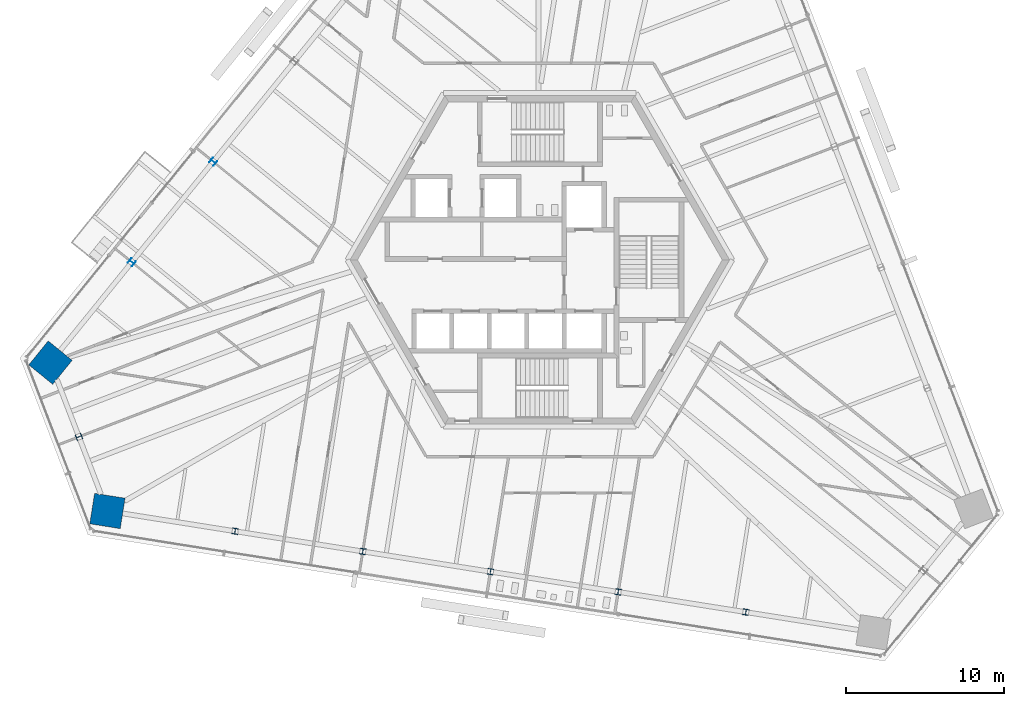
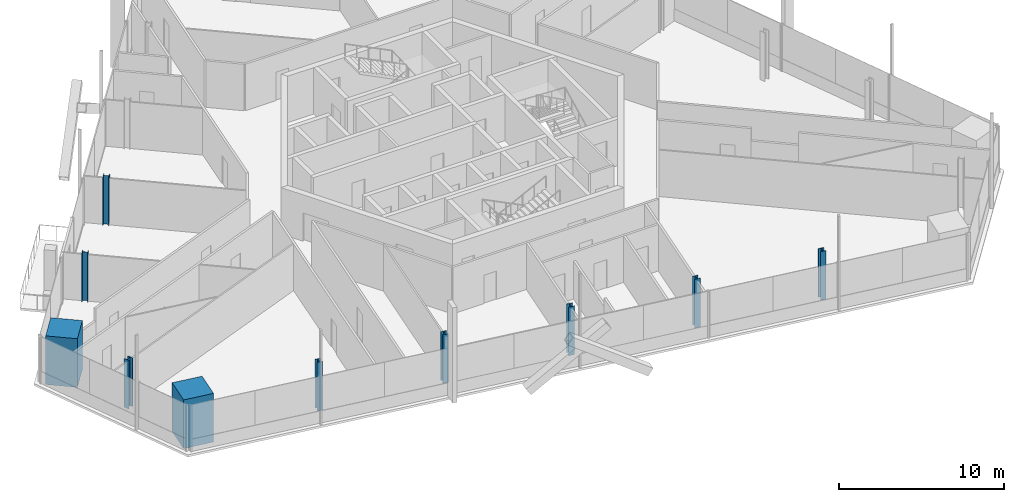
# One storey, part 1 of 22: 10 columns.
"""IFC4 building model written with IfcOpenShell, lengths in metres."""

from ifc_helpers import new_model, si_unit, direction, frame, origin, origin_2d, place, context, subcontext, project, spatial, rectangle, i_section, extrude, source, transform, mapped, material, material_profile, profile_set, type_object, element, save


model = new_model("IFC4")

# Units and contexts
model_context = context("Model", 3, precision=1e-05, world=origin(), true_north=direction((0.0, 1.0)))
body_context = subcontext(model_context, "Body", "Model", "MODEL_VIEW")
ifc_project = project(units=[si_unit("LENGTHUNIT", "METRE"), si_unit("AREAUNIT", "SQUARE_METRE"), si_unit("VOLUMEUNIT", "CUBIC_METRE"), si_unit("PLANEANGLEUNIT", "RADIAN"), si_unit("MASSUNIT", "GRAM", prefix="KILO")], contexts=[model_context])

# Site, building, storey
site_placement = place(None, origin())
site = spatial("IfcSite", under=ifc_project, at=site_placement, CompositionType="ELEMENT")
building_placement = place(site_placement, origin())
building = spatial("IfcBuilding", under=site, at=building_placement, Name="Triune Harvest Tower", CompositionType="ELEMENT")
storey_placement = place(building_placement, frame((0.0, 0.0, 153.300048828125)))
storey = spatial("IfcBuildingStorey", under=building, at=storey_placement, Name="L39", CompositionType="ELEMENT", Elevation=153.300048828125)

# Columns
ifc_material_1 = material(Name="Concrete 70 MPa", Category="concrete")
ifc_material_profile_1 = material_profile(ifc_material_1, rectangle(XDim=1.949951171875, YDim=1.949951171875, at=origin_2d()), Name="Composite 1950x1950")
ifc_profile_set_1 = profile_set([ifc_material_profile_1], Name="Concrete 70 MPa")
column_type_1 = type_object("IfcColumnType", Name="MC-4 Mega column Composite 1950x1950", PredefinedType="COLUMN", material=ifc_profile_set_1)
shared_shape_1 = source(origin(), body_context, "Body", "SweptSolid", [
    extrude(rectangle(XDim=1.949951171875, YDim=1.949951171875, at=origin_2d()), origin(), (0.0, 0.0, 1.0), 3.599853515625),
])
for number, where, z_axis, x_axis, name in (
    (1, (-30.947509765625, -6.4970703125, 0.0), (0.0, 0.0, 1.0), (-0.629321747424, -0.777144863084, 0.0), "col/L39/M14"),
    (2, (-27.345703125, -15.879638671875, 0.0), (0.0, 0.0, 1.0), (0.987688340595, -0.15643446504, 0.0), "col/L39/M16"),
):
    element("IfcColumn", number, at=place(storey_placement, frame(where, z_axis=z_axis, x_axis=x_axis)), inside=storey, type_object=column_type_1, Name=name, PredefinedType="COLUMN", context=body_context, shape_type="MappedRepresentation", body=[
        mapped(shared_shape_1, transform((0.0, 0.0, 0.0), scale=1.0)),
    ])
ifc_material_2 = material(Name="Steel ASTM A992 Gr 50", Category="steel")
ifc_material_profile_2 = material_profile(ifc_material_2, i_section(OverallWidth=0.373291015625, OverallDepth=0.373291015625, WebThickness=0.016357421875, FlangeThickness=0.026123046875, at=origin_2d()), Name="W14x132")
ifc_profile_set_2 = profile_set([ifc_material_profile_2], Name="Steel ASTM A992 Gr 50")
column_type_2 = type_object("IfcColumnType", Name="PC-4 Perimeter column W14x132", PredefinedType="COLUMN", material=ifc_profile_set_2)
shared_shape_2 = source(origin(), body_context, "Body", "SweptSolid", [
    extrude(i_section(OverallWidth=0.373291015625, OverallDepth=0.373291015625, WebThickness=0.016357421875, FlangeThickness=0.026123046875, at=origin_2d()), origin(), (0.0, 0.0, 1.0), 3.599853515625),
])
for number, where, z_axis, x_axis, name in (
    (3, (-20.657958984375, 6.209228515625, 0.0), (0.0, 0.0, 1.0), (-0.629321747424, -0.777144863084, 0.0), "col/L39/P12"),
    (4, (-25.802734375, -0.143798828125, 0.0), (0.0, 0.0, 1.0), (-0.629321747424, -0.777144863084, 0.0), "col/L39/P13"),
    (5, (-29.146484375, -11.188232421875, 0.0), (0.0, 0.0, 1.0), (0.35836632014, -0.933581051966, 0.0), "col/L39/P15"),
    (6, (-19.271484375, -17.158447265625, 0.0), (0.0, 0.0, 1.0), (0.987688340595, -0.15643446504, 0.0), "col/L39/P17"),
    (7, (-11.197021484375, -18.437255859375, 0.0), (0.0, 0.0, 1.0), (0.987688340595, -0.15643446504, 0.0), "col/L39/P18"),
    (8, (-3.122802734375, -19.716064453125, 0.0), (0.0, 0.0, 1.0), (0.987688340595, -0.15643446504, 0.0), "col/L39/P19"),
    (9, (4.95166015625, -20.9951171875, 0.0), (0.0, 0.0, 1.0), (0.987688340595, -0.15643446504, 0.0), "col/L39/P20"),
    (10, (13.02587890625, -22.27392578125, 0.0), (0.0, 0.0, 1.0), (0.987688340595, -0.15643446504, 0.0), "col/L39/P21"),
):
    element("IfcColumn", number, at=place(storey_placement, frame(where, z_axis=z_axis, x_axis=x_axis)), inside=storey, type_object=column_type_2, Name=name, PredefinedType="COLUMN", context=body_context, shape_type="MappedRepresentation", body=[
        mapped(shared_shape_2, transform((0.0, 0.0, 0.0), scale=1.0)),
    ])

save(model, "model.ifc")
